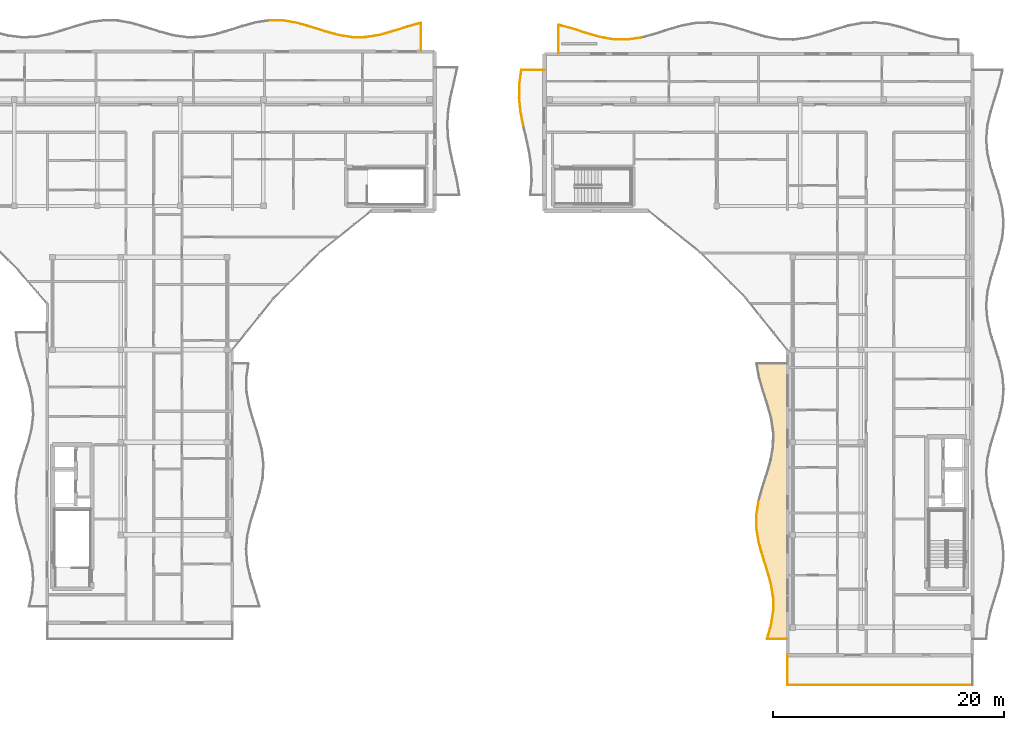
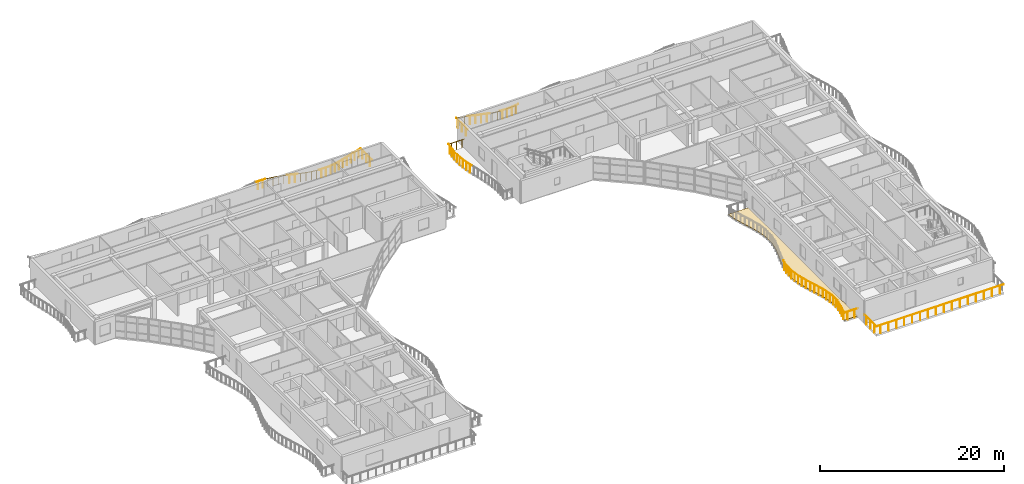
# One storey, part 27 of 30: 37 railings, 1 covering.
"""IFC4 building model written with IfcOpenShell, lengths in metres."""

from ifc_helpers import new_model, si_unit, direction, frame, origin, origin_2d, place, context, subcontext, project, spatial, polyline, circle, outline, extrude, material, layer, layer_set, type_object, element, save


model = new_model("IFC4")

# Units and contexts
model_context = context("Model", 3, precision=1e-05, world=origin(), true_north=direction((0.0, 1.0)))
body_context = subcontext(model_context, "Body", "Model", "MODEL_VIEW")
ifc_project = project(units=[si_unit("LENGTHUNIT", "METRE"), si_unit("AREAUNIT", "SQUARE_METRE"), si_unit("VOLUMEUNIT", "CUBIC_METRE"), si_unit("PLANEANGLEUNIT", "RADIAN"), si_unit("MASSUNIT", "GRAM", prefix="KILO")], contexts=[model_context])

# Site, building, storey
site_placement = place(None, origin())
site = spatial("IfcSite", under=ifc_project, at=site_placement, CompositionType="ELEMENT")
building_placement = place(site_placement, origin())
building = spatial("IfcBuilding", under=site, at=building_placement, Name="Keldmere Railside Commons", CompositionType="ELEMENT")
storey_placement = place(building_placement, frame((0.0, 0.0, 36.159912109375)))
storey = spatial("IfcBuildingStorey", under=building, at=storey_placement, Name="L11", CompositionType="ELEMENT", Elevation=36.159912109375)

# Railings
ifc_material_1 = material(Name="Steel F-24 (S235)", Category="steel")
railing_type = type_object("IfcRailingType", Name="Balcony & Terrace Steel Balustrade 1100", PredefinedType="BALUSTRADE", material=ifc_material_1)
railing_1_placement = place(storey_placement, frame((123.2255859375, 116.481201171875, 0.0)))
element("IfcRailing", 1, at=railing_1_placement, inside=storey, type_object=railing_type, Name="GR-1 GRD-L11-3078", PredefinedType="BALUSTRADE", context=body_context, shape_type="SweptSolid", body=[
    extrude(circle(Radius=0.02392578125, at=origin_2d()), frame((0.0, 0.0, 1.076171875), z_axis=(0.999933866208, -0.011500574349, 0.0), x_axis=(0.011500574349, 0.999933866208, 0.0)), (0.0, 0.0, 1.0), 1.188720703125),
    extrude(circle(Radius=0.02099609375, at=origin_2d()), frame((0.297119140625, -0.00341796875, 0.0)), (0.0, 0.0, 1.0), 1.048095703125),
    extrude(circle(Radius=0.02099609375, at=origin_2d()), frame((0.8916015625, -0.01025390625, 0.0)), (0.0, 0.0, 1.0), 1.048095703125),
])
railing_2_placement = place(storey_placement, frame((124.414306640625, 116.467529296875, 0.0)))
element("IfcRailing", 2, at=railing_2_placement, inside=storey, type_object=railing_type, Name="GR-1 GRD-L11-3079", PredefinedType="BALUSTRADE", context=body_context, shape_type="SweptSolid", body=[
    extrude(circle(Radius=0.02392578125, at=origin_2d()), frame((0.0, 0.0, 1.076171875), z_axis=(0.985807624482, -0.167878907292, 0.0), x_axis=(0.167878907292, 0.985807624482, 0.0)), (0.0, 0.0, 1.0), 1.20556640625),
    extrude(circle(Radius=0.02099609375, at=origin_2d()), frame((0.297119140625, -0.050537109375, 0.0)), (0.0, 0.0, 1.0), 1.048095703125),
    extrude(circle(Radius=0.02099609375, at=origin_2d()), frame((0.891357421875, -0.15185546875, 0.0)), (0.0, 0.0, 1.0), 1.048095703125),
])
railing_3_placement = place(storey_placement, frame((125.602783203125, 116.26513671875, 0.0)))
element("IfcRailing", 3, at=railing_3_placement, inside=storey, type_object=railing_type, Name="GR-1 GRD-L11-3080", PredefinedType="BALUSTRADE", context=body_context, shape_type="SweptSolid", body=[
    extrude(circle(Radius=0.02392578125, at=origin_2d()), frame((0.0, 0.0, 1.076171875), z_axis=(0.961895808066, -0.273416265838, 0.0), x_axis=(0.273416265838, 0.961895808066, 0.0)), (0.0, 0.0, 1.0), 1.23583984375),
    extrude(circle(Radius=0.02099609375, at=origin_2d()), frame((0.297119140625, -0.08447265625, 0.0)), (0.0, 0.0, 1.0), 1.048095703125),
    extrude(circle(Radius=0.02099609375, at=origin_2d()), frame((0.8916015625, -0.25341796875, 0.0)), (0.0, 0.0, 1.0), 1.048095703125),
])
railing_4_placement = place(storey_placement, frame((126.79150390625, 115.92724609375, 0.0)))
element("IfcRailing", 4, at=railing_4_placement, inside=storey, type_object=railing_type, Name="GR-1 GRD-L11-3081", PredefinedType="BALUSTRADE", context=body_context, shape_type="SweptSolid", body=[
    extrude(circle(Radius=0.02392578125, at=origin_2d()), frame((0.0, 0.0, 1.076171875), z_axis=(0.951441151342, -0.307830692967, 0.0), x_axis=(0.307830692967, 0.951441151342, 0.0)), (0.0, 0.0, 1.0), 1.2490234375),
    extrude(circle(Radius=0.02099609375, at=origin_2d()), frame((0.297119140625, -0.09619140625, 0.0)), (0.0, 0.0, 1.0), 1.048095703125),
    extrude(circle(Radius=0.02099609375, at=origin_2d()), frame((0.891357421875, -0.288330078125, 0.0)), (0.0, 0.0, 1.0), 1.048095703125),
])
railing_5_placement = place(storey_placement, frame((127.97998046875, 115.542724609375, 0.0)))
element("IfcRailing", 5, at=railing_5_placement, inside=storey, type_object=railing_type, Name="GR-1 GRD-L11-3082", PredefinedType="BALUSTRADE", context=body_context, shape_type="SweptSolid", body=[
    extrude(circle(Radius=0.02392578125, at=origin_2d()), frame((0.0, 0.0, 1.076171875), z_axis=(0.963543421604, -0.267552003699, 0.0), x_axis=(0.267552003699, 0.963543421604, 0.0)), (0.0, 0.0, 1.0), 1.233642578125),
    extrude(circle(Radius=0.02099609375, at=origin_2d()), frame((0.297119140625, -0.08251953125, 0.0)), (0.0, 0.0, 1.0), 1.048095703125),
    extrude(circle(Radius=0.02099609375, at=origin_2d()), frame((0.8916015625, -0.24755859375, 0.0)), (0.0, 0.0, 1.0), 1.048095703125),
])
railing_6_placement = place(storey_placement, frame((129.168701171875, 115.212646484375, 0.0)))
element("IfcRailing", 6, at=railing_6_placement, inside=storey, type_object=railing_type, Name="GR-1 GRD-L11-3083", PredefinedType="BALUSTRADE", context=body_context, shape_type="SweptSolid", body=[
    extrude(circle(Radius=0.02392578125, at=origin_2d()), frame((0.0, 0.0, 1.076171875), z_axis=(0.987626053217, -0.15682722661, 0.0), x_axis=(0.15682722661, 0.987626053217, 0.0)), (0.0, 0.0, 1.0), 1.203369140625),
    extrude(circle(Radius=0.02099609375, at=origin_2d()), frame((0.297119140625, -0.047119140625, 0.0)), (0.0, 0.0, 1.0), 1.048095703125),
    extrude(circle(Radius=0.02099609375, at=origin_2d()), frame((0.891357421875, -0.1416015625, 0.0)), (0.0, 0.0, 1.0), 1.048095703125),
])
railing_7_placement = place(storey_placement, frame((130.357177734375, 115.02392578125, 0.0)))
element("IfcRailing", 7, at=railing_7_placement, inside=storey, type_object=railing_type, Name="GR-1 GRD-L11-3084", PredefinedType="BALUSTRADE", context=body_context, shape_type="SweptSolid", body=[
    extrude(circle(Radius=0.02392578125, at=origin_2d()), frame((0.0, 0.0, 1.076171875), z_axis=(0.999998290958, 0.001848805386, 0.0), x_axis=(-0.001848805386, 0.999998290958, 0.0)), (0.0, 0.0, 1.0), 1.1884765625),
    extrude(circle(Radius=0.02099609375, at=origin_2d()), frame((0.297119140625, 0.00048828125, 0.0)), (0.0, 0.0, 1.0), 1.048095703125),
    extrude(circle(Radius=0.02099609375, at=origin_2d()), frame((0.891357421875, 0.001708984375, 0.0)), (0.0, 0.0, 1.0), 1.048095703125),
])
railing_8_placement = place(storey_placement, frame((131.545654296875, 115.026123046875, 0.0)))
element("IfcRailing", 8, at=railing_8_placement, inside=storey, type_object=railing_type, Name="GR-1 GRD-L11-3085", PredefinedType="BALUSTRADE", context=body_context, shape_type="SweptSolid", body=[
    extrude(circle(Radius=0.02392578125, at=origin_2d()), frame((0.0, 0.0, 1.076171875), z_axis=(0.987123652725, 0.159959039228, 0.0), x_axis=(-0.159959039228, 0.987123652725, 0.0)), (0.0, 0.0, 1.0), 1.204345703125),
    extrude(circle(Radius=0.02099609375, at=origin_2d()), frame((0.297119140625, 0.048095703125, 0.0)), (0.0, 0.0, 1.0), 1.048095703125),
    extrude(circle(Radius=0.02099609375, at=origin_2d()), frame((0.8916015625, 0.14453125, 0.0)), (0.0, 0.0, 1.0), 1.048095703125),
])
railing_9_placement = place(storey_placement, frame((132.734375, 115.21875, 0.0)))
element("IfcRailing", 9, at=railing_9_placement, inside=storey, type_object=railing_type, Name="GR-1 GRD-L11-3086", PredefinedType="BALUSTRADE", context=body_context, shape_type="SweptSolid", body=[
    extrude(circle(Radius=0.02392578125, at=origin_2d()), frame((0.0, 0.0, 1.076171875), z_axis=(0.963068735831, 0.269255659299, 0.0), x_axis=(-0.269255659299, 0.963068735831, 0.0)), (0.0, 0.0, 1.0), 1.234130859375),
    extrude(circle(Radius=0.02099609375, at=origin_2d()), frame((0.297119140625, 0.0830078125, 0.0)), (0.0, 0.0, 1.0), 1.048095703125),
    extrude(circle(Radius=0.02099609375, at=origin_2d()), frame((0.891357421875, 0.249267578125, 0.0)), (0.0, 0.0, 1.0), 1.048095703125),
])
railing_10_placement = place(storey_placement, frame((133.9228515625, 115.551025390625, 0.0)))
element("IfcRailing", 10, at=railing_10_placement, inside=storey, type_object=railing_type, Name="GR-1 GRD-L11-3087", PredefinedType="BALUSTRADE", context=body_context, shape_type="SweptSolid", body=[
    extrude(circle(Radius=0.02392578125, at=origin_2d()), frame((0.0, 0.0, 1.076171875), z_axis=(0.951441151342, 0.307830692967, 0.0), x_axis=(-0.307830692967, 0.951441151342, 0.0)), (0.0, 0.0, 1.0), 1.2490234375),
    extrude(circle(Radius=0.02099609375, at=origin_2d()), frame((0.297119140625, 0.09619140625, 0.0)), (0.0, 0.0, 1.0), 1.048095703125),
    extrude(circle(Radius=0.02099609375, at=origin_2d()), frame((0.891357421875, 0.288330078125, 0.0)), (0.0, 0.0, 1.0), 1.048095703125),
])
railing_11_placement = place(storey_placement, frame((135.111328125, 115.935546875, 0.0)))
element("IfcRailing", 11, at=railing_11_placement, inside=storey, type_object=railing_type, Name="GR-1 GRD-L11-3088", PredefinedType="BALUSTRADE", context=body_context, shape_type="SweptSolid", body=[
    extrude(circle(Radius=0.02392578125, at=origin_2d()), frame((0.0, 0.0, 1.076171875), z_axis=(0.962310527529, 0.27195302647, 0.0), x_axis=(-0.27195302647, 0.962310527529, 0.0)), (0.0, 0.0, 1.0), 1.2353515625),
    extrude(circle(Radius=0.02099609375, at=origin_2d()), frame((0.297119140625, 0.083984375, 0.0)), (0.0, 0.0, 1.0), 1.048095703125),
    extrude(circle(Radius=0.02099609375, at=origin_2d()), frame((0.8916015625, 0.251953125, 0.0)), (0.0, 0.0, 1.0), 1.048095703125),
])
railing_12_placement = place(storey_placement, frame((136.300048828125, 116.271484375, 0.0)))
element("IfcRailing", 12, at=railing_12_placement, inside=storey, type_object=railing_type, Name="GR-1 GRD-L11-3089", PredefinedType="BALUSTRADE", context=body_context, shape_type="SweptSolid", body=[
    extrude(circle(Radius=0.02392578125, at=origin_2d()), frame((0.0, 0.0, 1.076171875), z_axis=(0.0, -1.0, 0.0), x_axis=(1.0, 0.0, 0.0)), (0.0, 0.0, 1.0), 2.471435546875),
    extrude(circle(Radius=0.02099609375, at=origin_2d()), frame((0.0, -0.411865234375, 0.0)), (0.0, 0.0, 1.0), 1.048095703125),
    extrude(circle(Radius=0.02099609375, at=origin_2d()), frame((0.0, -1.23583984375, 0.0)), (0.0, 0.0, 1.0), 1.048095703125),
    extrude(circle(Radius=0.02099609375, at=origin_2d()), frame((0.0, -2.0595703125, 0.0)), (0.0, 0.0, 1.0), 1.048095703125),
])
railing_13_placement = place(storey_placement, frame((148.199951171875, 113.60009765625, 0.0)))
element("IfcRailing", 13, at=railing_13_placement, inside=storey, type_object=railing_type, Name="GR-1 GRD-L11-4434", PredefinedType="BALUSTRADE", context=body_context, shape_type="SweptSolid", body=[
    extrude(circle(Radius=0.02392578125, at=origin_2d()), frame((0.0, 0.0, 1.076171875), z_axis=(0.0, 1.0, 0.0), x_axis=(-1.0, 0.0, 0.0)), (0.0, 0.0, 1.0), 2.500732421875),
    extrude(circle(Radius=0.02099609375, at=origin_2d()), frame((0.0, 0.416748046875, 0.0)), (0.0, 0.0, 1.0), 1.048095703125),
    extrude(circle(Radius=0.02099609375, at=origin_2d()), frame((0.0, 1.25048828125, 0.0)), (0.0, 0.0, 1.0), 1.048095703125),
    extrude(circle(Radius=0.02099609375, at=origin_2d()), frame((0.0, 2.083984375, 0.0)), (0.0, 0.0, 1.0), 1.048095703125),
])
railing_14_placement = place(storey_placement, frame((148.199951171875, 116.100830078125, 0.0)))
element("IfcRailing", 14, at=railing_14_placement, inside=storey, type_object=railing_type, Name="GR-1 GRD-L11-4435", PredefinedType="BALUSTRADE", context=body_context, shape_type="SweptSolid", body=[
    extrude(circle(Radius=0.02392578125, at=origin_2d()), frame((0.0, 0.0, 1.076171875), z_axis=(0.96460422049, -0.263701910901, 0.0), x_axis=(0.263701910901, 0.96460422049, 0.0)), (0.0, 0.0, 1.0), 1.23681640625),
    extrude(circle(Radius=0.02099609375, at=origin_2d()), frame((0.29833984375, -0.08154296875, 0.0)), (0.0, 0.0, 1.0), 1.048095703125),
    extrude(circle(Radius=0.02099609375, at=origin_2d()), frame((0.894775390625, -0.24462890625, 0.0)), (0.0, 0.0, 1.0), 1.048095703125),
])
railing_15_placement = place(storey_placement, frame((149.39306640625, 115.774658203125, 0.0)))
element("IfcRailing", 15, at=railing_15_placement, inside=storey, type_object=railing_type, Name="GR-1 GRD-L11-4436", PredefinedType="BALUSTRADE", context=body_context, shape_type="SweptSolid", body=[
    extrude(circle(Radius=0.02392578125, at=origin_2d()), frame((0.0, 0.0, 1.076171875), z_axis=(0.951506553675, -0.307628474485, 0.0), x_axis=(0.307628474485, 0.951506553675, 0.0)), (0.0, 0.0, 1.0), 1.25390625),
    extrude(circle(Radius=0.02099609375, at=origin_2d()), frame((0.29833984375, -0.096435546875, 0.0)), (0.0, 0.0, 1.0), 1.048095703125),
    extrude(circle(Radius=0.02099609375, at=origin_2d()), frame((0.894775390625, -0.289306640625, 0.0)), (0.0, 0.0, 1.0), 1.048095703125),
])
railing_16_placement = place(storey_placement, frame((150.586181640625, 115.388916015625, 0.0)))
element("IfcRailing", 16, at=railing_16_placement, inside=storey, type_object=railing_type, Name="GR-1 GRD-L11-4437", PredefinedType="BALUSTRADE", context=body_context, shape_type="SweptSolid", body=[
    extrude(circle(Radius=0.02392578125, at=origin_2d()), frame((0.0, 0.0, 1.076171875), z_axis=(0.961069956712, -0.276305154324, 0.0), x_axis=(0.276305154324, 0.961069956712, 0.0)), (0.0, 0.0, 1.0), 1.241455078125),
    extrude(circle(Radius=0.02099609375, at=origin_2d()), frame((0.29833984375, -0.085693359375, 0.0)), (0.0, 0.0, 1.0), 1.048095703125),
    extrude(circle(Radius=0.02099609375, at=origin_2d()), frame((0.894775390625, -0.25732421875, 0.0)), (0.0, 0.0, 1.0), 1.048095703125),
])
railing_17_placement = place(storey_placement, frame((151.779296875, 115.0458984375, 0.0)))
element("IfcRailing", 17, at=railing_17_placement, inside=storey, type_object=railing_type, Name="GR-1 GRD-L11-4438", PredefinedType="BALUSTRADE", context=body_context, shape_type="SweptSolid", body=[
    extrude(circle(Radius=0.02392578125, at=origin_2d()), frame((0.0, 0.0, 1.076171875), z_axis=(0.984935352202, -0.172922965457, 0.0), x_axis=(0.172922965457, 0.984935352202, 0.0)), (0.0, 0.0, 1.0), 1.21142578125),
    extrude(circle(Radius=0.02099609375, at=origin_2d()), frame((0.29833984375, -0.05224609375, 0.0)), (0.0, 0.0, 1.0), 1.048095703125),
    extrude(circle(Radius=0.02099609375, at=origin_2d()), frame((0.894775390625, -0.1572265625, 0.0)), (0.0, 0.0, 1.0), 1.048095703125),
])
railing_18_placement = place(storey_placement, frame((152.972412109375, 114.83642578125, 0.0)))
element("IfcRailing", 18, at=railing_18_placement, inside=storey, type_object=railing_type, Name="GR-1 GRD-L11-4439", PredefinedType="BALUSTRADE", context=body_context, shape_type="SweptSolid", body=[
    extrude(circle(Radius=0.02392578125, at=origin_2d()), frame((0.0, 0.0, 1.076171875), z_axis=(0.999855805874, -0.016981385694, 0.0), x_axis=(0.016981385694, 0.999855805874, 0.0)), (0.0, 0.0, 1.0), 1.193359375),
    extrude(circle(Radius=0.02099609375, at=origin_2d()), frame((0.29833984375, -0.005126953125, 0.0)), (0.0, 0.0, 1.0), 1.048095703125),
    extrude(circle(Radius=0.02099609375, at=origin_2d()), frame((0.894775390625, -0.01513671875, 0.0)), (0.0, 0.0, 1.0), 1.048095703125),
])
railing_19_placement = place(storey_placement, frame((154.16552734375, 114.816162109375, 0.0)))
element("IfcRailing", 19, at=railing_19_placement, inside=storey, type_object=railing_type, Name="GR-1 GRD-L11-4440", PredefinedType="BALUSTRADE", context=body_context, shape_type="SweptSolid", body=[
    extrude(circle(Radius=0.02392578125, at=origin_2d()), frame((0.0, 0.0, 1.076171875), z_axis=(0.989552850316, 0.144170581016, 0.0), x_axis=(-0.144170581016, 0.989552850316, 0.0)), (0.0, 0.0, 1.0), 1.205810546875),
    extrude(circle(Radius=0.02099609375, at=origin_2d()), frame((0.29833984375, 0.04345703125, 0.0)), (0.0, 0.0, 1.0), 1.048095703125),
    extrude(circle(Radius=0.02099609375, at=origin_2d()), frame((0.894775390625, 0.13037109375, 0.0)), (0.0, 0.0, 1.0), 1.048095703125),
])
railing_20_placement = place(storey_placement, frame((168.0, 63.0, 0.0)))
element("IfcRailing", 20, at=railing_20_placement, inside=storey, type_object=railing_type, Name="GR-1 GRD-L11-4465", PredefinedType="BALUSTRADE", context=body_context, shape_type="SweptSolid", body=[
    extrude(circle(Radius=0.02392578125, at=origin_2d()), frame((0.0, 0.0, 1.076171875), z_axis=(-1.0, 0.0, 0.0), x_axis=(0.0, -1.0, 0.0)), (0.0, 0.0, 1.0), 1.74609375),
    extrude(circle(Radius=0.02099609375, at=origin_2d()), frame((-0.4365234375, 0.0, 0.0)), (0.0, 0.0, 1.0), 1.048095703125),
    extrude(circle(Radius=0.02099609375, at=origin_2d()), frame((-1.3095703125, 0.0, 0.0)), (0.0, 0.0, 1.0), 1.048095703125),
])
railing_21_placement = place(storey_placement, frame((166.25390625, 63.0, 0.0)))
element("IfcRailing", 21, at=railing_21_placement, inside=storey, type_object=railing_type, Name="GR-1 GRD-L11-4466", PredefinedType="BALUSTRADE", context=body_context, shape_type="SweptSolid", body=[
    extrude(circle(Radius=0.02392578125, at=origin_2d()), frame((0.0, 0.0, 1.076171875), z_axis=(0.268214687589, 0.963359165297, 0.0), x_axis=(-0.963359165297, 0.268214687589, 0.0)), (0.0, 0.0, 1.0), 1.235107421875),
    extrude(circle(Radius=0.02099609375, at=origin_2d()), frame((0.082763671875, 0.29736328125, 0.0)), (0.0, 0.0, 1.0), 1.048095703125),
    extrude(circle(Radius=0.02099609375, at=origin_2d()), frame((0.24853515625, 0.892578125, 0.0)), (0.0, 0.0, 1.0), 1.048095703125),
])
railing_22_placement = place(storey_placement, frame((166.585205078125, 64.18994140625, 0.0)))
element("IfcRailing", 22, at=railing_22_placement, inside=storey, type_object=railing_type, Name="GR-1 GRD-L11-4467", PredefinedType="BALUSTRADE", context=body_context, shape_type="SweptSolid", body=[
    extrude(circle(Radius=0.02392578125, at=origin_2d()), frame((0.0, 0.0, 1.076171875), z_axis=(0.157824563718, 0.9874671676, 0.0), x_axis=(-0.9874671676, 0.157824563718, 0.0)), (0.0, 0.0, 1.0), 1.205078125),
    extrude(circle(Radius=0.02099609375, at=origin_2d()), frame((0.047607421875, 0.29736328125, 0.0)), (0.0, 0.0, 1.0), 1.048095703125),
    extrude(circle(Radius=0.02099609375, at=origin_2d()), frame((0.142578125, 0.892578125, 0.0)), (0.0, 0.0, 1.0), 1.048095703125),
])
railing_23_placement = place(storey_placement, frame((166.775390625, 65.3798828125, 0.0)))
element("IfcRailing", 23, at=railing_23_placement, inside=storey, type_object=railing_type, Name="GR-1 GRD-L11-4468", PredefinedType="BALUSTRADE", context=body_context, shape_type="SweptSolid", body=[
    extrude(circle(Radius=0.02392578125, at=origin_2d()), frame((0.0, 0.0, 1.076171875), z_axis=(-0.000820512544, 0.99999966338, 0.0), x_axis=(-0.99999966338, -0.000820512544, 0.0)), (0.0, 0.0, 1.0), 1.190185546875),
    extrude(circle(Radius=0.02099609375, at=origin_2d()), frame((-0.000244140625, 0.297607421875, 0.0)), (0.0, 0.0, 1.0), 1.048095703125),
    extrude(circle(Radius=0.02099609375, at=origin_2d()), frame((-0.000732421875, 0.892578125, 0.0)), (0.0, 0.0, 1.0), 1.048095703125),
])
railing_24_placement = place(storey_placement, frame((166.7744140625, 66.570068359375, 0.0)))
element("IfcRailing", 24, at=railing_24_placement, inside=storey, type_object=railing_type, Name="GR-1 GRD-L11-4469", PredefinedType="BALUSTRADE", context=body_context, shape_type="SweptSolid", body=[
    extrude(circle(Radius=0.02392578125, at=origin_2d()), frame((0.0, 0.0, 1.076171875), z_axis=(-0.159206965526, 0.987245228972, 0.0), x_axis=(-0.987245228972, -0.159206965526, 0.0)), (0.0, 0.0, 1.0), 1.205322265625),
    extrude(circle(Radius=0.02099609375, at=origin_2d()), frame((-0.0478515625, 0.29736328125, 0.0)), (0.0, 0.0, 1.0), 1.048095703125),
    extrude(circle(Radius=0.02099609375, at=origin_2d()), frame((-0.14404296875, 0.892578125, 0.0)), (0.0, 0.0, 1.0), 1.048095703125),
])
railing_25_placement = place(storey_placement, frame((166.58251953125, 67.760009765625, 0.0)))
element("IfcRailing", 25, at=railing_25_placement, inside=storey, type_object=railing_type, Name="GR-1 GRD-L11-4470", PredefinedType="BALUSTRADE", context=body_context, shape_type="SweptSolid", body=[
    extrude(circle(Radius=0.02392578125, at=origin_2d()), frame((0.0, 0.0, 1.076171875), z_axis=(-0.26894818894, 0.963154645769, 0.0), x_axis=(-0.963154645769, -0.26894818894, 0.0)), (0.0, 0.0, 1.0), 1.2353515625),
    extrude(circle(Radius=0.02099609375, at=origin_2d()), frame((-0.0830078125, 0.29736328125, 0.0)), (0.0, 0.0, 1.0), 1.048095703125),
    extrude(circle(Radius=0.02099609375, at=origin_2d()), frame((-0.249267578125, 0.892578125, 0.0)), (0.0, 0.0, 1.0), 1.048095703125),
])
railing_26_placement = place(storey_placement, frame((166.250244140625, 68.949951171875, 0.0)))
element("IfcRailing", 26, at=railing_26_placement, inside=storey, type_object=railing_type, Name="GR-1 GRD-L11-4471", PredefinedType="BALUSTRADE", context=body_context, shape_type="SweptSolid", body=[
    extrude(circle(Radius=0.02392578125, at=origin_2d()), frame((0.0, 0.0, 1.076171875), z_axis=(-0.308017766635, 0.95138060493, 0.0), x_axis=(-0.95138060493, -0.308017766635, 0.0)), (0.0, 0.0, 1.0), 1.250732421875),
    extrude(circle(Radius=0.02099609375, at=origin_2d()), frame((-0.09619140625, 0.29736328125, 0.0)), (0.0, 0.0, 1.0), 1.048095703125),
    extrude(circle(Radius=0.02099609375, at=origin_2d()), frame((-0.2890625, 0.892578125, 0.0)), (0.0, 0.0, 1.0), 1.048095703125),
])
railing_27_placement = place(storey_placement, frame((165.864990234375, 70.139892578125, 0.0)))
element("IfcRailing", 27, at=railing_27_placement, inside=storey, type_object=railing_type, Name="GR-1 GRD-L11-4472", PredefinedType="BALUSTRADE", context=body_context, shape_type="SweptSolid", body=[
    extrude(circle(Radius=0.02392578125, at=origin_2d()), frame((0.0, 0.0, 1.076171875), z_axis=(-0.271825860521, 0.962346456092, 0.0), x_axis=(-0.962346456092, -0.271825860521, 0.0)), (0.0, 0.0, 1.0), 1.23681640625),
    extrude(circle(Radius=0.02099609375, at=origin_2d()), frame((-0.083984375, 0.297607421875, 0.0)), (0.0, 0.0, 1.0), 1.048095703125),
    extrude(circle(Radius=0.02099609375, at=origin_2d()), frame((-0.252197265625, 0.892578125, 0.0)), (0.0, 0.0, 1.0), 1.048095703125),
])
railing_28_placement = place(storey_placement, frame((165.52880859375, 71.330078125, 0.0)))
element("IfcRailing", 28, at=railing_28_placement, inside=storey, type_object=railing_type, Name="GR-1 GRD-L11-4473", PredefinedType="BALUSTRADE", context=body_context, shape_type="SweptSolid", body=[
    extrude(circle(Radius=0.02392578125, at=origin_2d()), frame((0.0, 0.0, 1.076171875), z_axis=(-0.164924008114, 0.986306276746, 0.0), x_axis=(-0.986306276746, -0.164924008114, 0.0)), (0.0, 0.0, 1.0), 1.20654296875),
    extrude(circle(Radius=0.02099609375, at=origin_2d()), frame((-0.0498046875, 0.29736328125, 0.0)), (0.0, 0.0, 1.0), 1.048095703125),
    extrude(circle(Radius=0.02099609375, at=origin_2d()), frame((-0.149169921875, 0.892578125, 0.0)), (0.0, 0.0, 1.0), 1.048095703125),
])
railing_29_placement = place(storey_placement, frame((165.329833984375, 72.52001953125, 0.0)))
element("IfcRailing", 29, at=railing_29_placement, inside=storey, type_object=railing_type, Name="GR-1 GRD-L11-4474", PredefinedType="BALUSTRADE", context=body_context, shape_type="SweptSolid", body=[
    extrude(circle(Radius=0.02392578125, at=origin_2d()), frame((0.0, 0.0, 1.076171875), z_axis=(-0.007591082054, 0.999971187322, 0.0), x_axis=(-0.999971187322, -0.007591082054, 0.0)), (0.0, 0.0, 1.0), 1.18994140625),
    extrude(circle(Radius=0.02099609375, at=origin_2d()), frame((-0.002197265625, 0.29736328125, 0.0)), (0.0, 0.0, 1.0), 1.048095703125),
    extrude(circle(Radius=0.02099609375, at=origin_2d()), frame((-0.0068359375, 0.892578125, 0.0)), (0.0, 0.0, 1.0), 1.048095703125),
])
railing_30_placement = place(storey_placement, frame((165.32080078125, 73.7099609375, 0.0)))
element("IfcRailing", 30, at=railing_30_placement, inside=storey, type_object=railing_type, Name="GR-1 GRD-L11-4475", PredefinedType="BALUSTRADE", context=body_context, shape_type="SweptSolid", body=[
    extrude(circle(Radius=0.02392578125, at=origin_2d()), frame((0.0, 0.0, 1.076171875), z_axis=(0.152087660322, 0.988367008544, 0.0), x_axis=(-0.988367008544, 0.152087660322, 0.0)), (0.0, 0.0, 1.0), 1.203857421875),
    extrude(circle(Radius=0.02099609375, at=origin_2d()), frame((0.0458984375, 0.29736328125, 0.0)), (0.0, 0.0, 1.0), 1.048095703125),
    extrude(circle(Radius=0.02099609375, at=origin_2d()), frame((0.13720703125, 0.892578125, 0.0)), (0.0, 0.0, 1.0), 1.048095703125),
])
railing_31_placement = place(storey_placement, frame((145.16064453125, 107.39990234375, 0.0)))
element("IfcRailing", 31, at=railing_31_placement, inside=storey, type_object=railing_type, Name="GR-1 GRD-L11-4536", PredefinedType="BALUSTRADE", context=body_context, shape_type="SweptSolid", body=[
    extrude(circle(Radius=0.02392578125, at=origin_2d()), frame((0.0, 0.0, 1.076171875), z_axis=(-0.190506191687, 0.981685994058, 0.0), x_axis=(-0.981685994058, -0.190506191687, 0.0)), (0.0, 0.0, 1.0), 1.22265625),
    extrude(circle(Radius=0.02099609375, at=origin_2d()), frame((-0.05810546875, 0.300048828125, 0.0)), (0.0, 0.0, 1.0), 1.048095703125),
    extrude(circle(Radius=0.02099609375, at=origin_2d()), frame((-0.1748046875, 0.900146484375, 0.0)), (0.0, 0.0, 1.0), 1.048095703125),
])
railing_32_placement = place(storey_placement, frame((144.927734375, 108.60009765625, 0.0)))
element("IfcRailing", 32, at=railing_32_placement, inside=storey, type_object=railing_type, Name="GR-1 GRD-L11-4537", PredefinedType="BALUSTRADE", context=body_context, shape_type="SweptSolid", body=[
    extrude(circle(Radius=0.02392578125, at=origin_2d()), frame((0.0, 0.0, 1.076171875), z_axis=(-0.099203038467, 0.995067212383, 0.0), x_axis=(-0.995067212383, -0.099203038467, 0.0)), (0.0, 0.0, 1.0), 1.205810546875),
    extrude(circle(Radius=0.02099609375, at=origin_2d()), frame((-0.02978515625, 0.300048828125, 0.0)), (0.0, 0.0, 1.0), 1.048095703125),
    extrude(circle(Radius=0.02099609375, at=origin_2d()), frame((-0.08984375, 0.89990234375, 0.0)), (0.0, 0.0, 1.0), 1.048095703125),
])
railing_33_placement = place(storey_placement, frame((144.80810546875, 109.800048828125, 0.0)))
element("IfcRailing", 33, at=railing_33_placement, inside=storey, type_object=railing_type, Name="GR-1 GRD-L11-4538", PredefinedType="BALUSTRADE", context=body_context, shape_type="SweptSolid", body=[
    extrude(circle(Radius=0.02392578125, at=origin_2d()), frame((0.0, 0.0, 1.076171875), z_axis=(0.021358300707, 0.999771885477, 0.0), x_axis=(-0.999771885477, 0.021358300707, 0.0)), (0.0, 0.0, 1.0), 1.2001953125),
    extrude(circle(Radius=0.02099609375, at=origin_2d()), frame((0.00634765625, 0.300048828125, 0.0)), (0.0, 0.0, 1.0), 1.048095703125),
    extrude(circle(Radius=0.02099609375, at=origin_2d()), frame((0.019287109375, 0.89990234375, 0.0)), (0.0, 0.0, 1.0), 1.048095703125),
])
railing_34_placement = place(storey_placement, frame((144.833740234375, 111.0, 0.0)))
element("IfcRailing", 34, at=railing_34_placement, inside=storey, type_object=railing_type, Name="GR-1 GRD-L11-4539", PredefinedType="BALUSTRADE", context=body_context, shape_type="SweptSolid", body=[
    extrude(circle(Radius=0.02392578125, at=origin_2d()), frame((0.0, 0.0, 1.076171875), z_axis=(0.135266132612, 0.990809302221, 0.0), x_axis=(-0.990809302221, 0.135266132612, 0.0)), (0.0, 0.0, 1.0), 1.211181640625),
    extrude(circle(Radius=0.02099609375, at=origin_2d()), frame((0.041015625, 0.300048828125, 0.0)), (0.0, 0.0, 1.0), 1.048095703125),
    extrude(circle(Radius=0.02099609375, at=origin_2d()), frame((0.122802734375, 0.89990234375, 0.0)), (0.0, 0.0, 1.0), 1.048095703125),
])
railing_35_placement = place(storey_placement, frame((144.99755859375, 112.199951171875, 0.0)))
element("IfcRailing", 35, at=railing_35_placement, inside=storey, type_object=railing_type, Name="GR-1 GRD-L11-4540", PredefinedType="BALUSTRADE", context=body_context, shape_type="SweptSolid", body=[
    extrude(circle(Radius=0.02392578125, at=origin_2d()), frame((0.0, 0.0, 1.076171875), z_axis=(1.0, 0.0, 0.0), x_axis=(0.0, 1.0, 0.0)), (0.0, 0.0, 1.0), 2.00244140625),
    extrude(circle(Radius=0.02099609375, at=origin_2d()), frame((0.333740234375, 0.0, 0.0)), (0.0, 0.0, 1.0), 1.048095703125),
    extrude(circle(Radius=0.02099609375, at=origin_2d()), frame((1.001220703125, 0.0, 0.0)), (0.0, 0.0, 1.0), 1.048095703125),
    extrude(circle(Radius=0.02099609375, at=origin_2d()), frame((1.668701171875, 0.0, 0.0)), (0.0, 0.0, 1.0), 1.048095703125),
])
railing_36_placement = place(storey_placement, frame((168.0, 61.60009765625, 0.0)))
element("IfcRailing", 36, at=railing_36_placement, inside=storey, type_object=railing_type, Name="GR-1 GRD-L11-4541", PredefinedType="BALUSTRADE", context=body_context, shape_type="SweptSolid", body=[
    extrude(circle(Radius=0.02392578125, at=origin_2d()), frame((0.0, 0.0, 1.076171875), z_axis=(0.0, -1.0, 0.0), x_axis=(1.0, 0.0, 0.0)), (0.0, 0.0, 1.0), 2.60009765625),
    extrude(circle(Radius=0.02099609375, at=origin_2d()), frame((0.0, -0.433349609375, 0.0)), (0.0, 0.0, 1.0), 1.048095703125),
    extrude(circle(Radius=0.02099609375, at=origin_2d()), frame((0.0, -1.300048828125, 0.0)), (0.0, 0.0, 1.0), 1.048095703125),
    extrude(circle(Radius=0.02099609375, at=origin_2d()), frame((0.0, -2.166748046875, 0.0)), (0.0, 0.0, 1.0), 1.048095703125),
])
railing_37_placement = place(storey_placement, frame((168.0, 59.0, 0.0)))
element("IfcRailing", 37, at=railing_37_placement, inside=storey, type_object=railing_type, Name="GR-1 GRD-L11-4542", PredefinedType="BALUSTRADE", context=body_context, shape_type="SweptSolid", body=[
    extrude(circle(Radius=0.02392578125, at=origin_2d()), frame((0.0, 0.0, 1.076171875), z_axis=(1.0, 0.0, 0.0), x_axis=(0.0, 1.0, 0.0)), (0.0, 0.0, 1.0), 16.0),
    extrude(circle(Radius=0.02099609375, at=origin_2d()), frame((0.5, 0.0, 0.0)), (0.0, 0.0, 1.0), 1.048095703125),
    extrude(circle(Radius=0.02099609375, at=origin_2d()), frame((1.5, 0.0, 0.0)), (0.0, 0.0, 1.0), 1.048095703125),
    extrude(circle(Radius=0.02099609375, at=origin_2d()), frame((2.5, 0.0, 0.0)), (0.0, 0.0, 1.0), 1.048095703125),
    extrude(circle(Radius=0.02099609375, at=origin_2d()), frame((3.5, 0.0, 0.0)), (0.0, 0.0, 1.0), 1.048095703125),
    extrude(circle(Radius=0.02099609375, at=origin_2d()), frame((4.5, 0.0, 0.0)), (0.0, 0.0, 1.0), 1.048095703125),
    extrude(circle(Radius=0.02099609375, at=origin_2d()), frame((5.5, 0.0, 0.0)), (0.0, 0.0, 1.0), 1.048095703125),
    extrude(circle(Radius=0.02099609375, at=origin_2d()), frame((6.5, 0.0, 0.0)), (0.0, 0.0, 1.0), 1.048095703125),
    extrude(circle(Radius=0.02099609375, at=origin_2d()), frame((7.5, 0.0, 0.0)), (0.0, 0.0, 1.0), 1.048095703125),
    extrude(circle(Radius=0.02099609375, at=origin_2d()), frame((8.5, 0.0, 0.0)), (0.0, 0.0, 1.0), 1.048095703125),
    extrude(circle(Radius=0.02099609375, at=origin_2d()), frame((9.5, 0.0, 0.0)), (0.0, 0.0, 1.0), 1.048095703125),
    extrude(circle(Radius=0.02099609375, at=origin_2d()), frame((10.5, 0.0, 0.0)), (0.0, 0.0, 1.0), 1.048095703125),
    extrude(circle(Radius=0.02099609375, at=origin_2d()), frame((11.5, 0.0, 0.0)), (0.0, 0.0, 1.0), 1.048095703125),
    extrude(circle(Radius=0.02099609375, at=origin_2d()), frame((12.5, 0.0, 0.0)), (0.0, 0.0, 1.0), 1.048095703125),
    extrude(circle(Radius=0.02099609375, at=origin_2d()), frame((13.5, 0.0, 0.0)), (0.0, 0.0, 1.0), 1.048095703125),
    extrude(circle(Radius=0.02099609375, at=origin_2d()), frame((14.5, 0.0, 0.0)), (0.0, 0.0, 1.0), 1.048095703125),
    extrude(circle(Radius=0.02099609375, at=origin_2d()), frame((15.5, 0.0, 0.0)), (0.0, 0.0, 1.0), 1.048095703125),
])

# Covering
ifc_material_2 = material(Name="White Precast Concrete C35/45", Category="concrete")
ifc_layer = layer(ifc_material_2, 0.044921875, Name="White Architectural Balcony Ribbon Cladding 45")
ifc_layer_set = layer_set([ifc_layer], Name="White Precast Concrete C35/45")
covering_type = type_object("IfcCoveringType", Name="White Architectural Balcony Ribbon Cladding 45", PredefinedType="FLOORING", material=ifc_layer_set)
covering_placement = place(storey_placement, origin())
element("IfcCovering", 38, at=covering_placement, inside=storey, type_object=covering_type, Name="CLG-WB A L11 CW White Balcony Ribbon", PredefinedType="FLOORING", context=body_context, shape_type="SweptSolid", body=[
    extrude(outline(polyline([(167.9599609375, 86.760009765625), (165.389892578125, 86.760009765625), (165.5966796875, 85.619140625), (165.941650390625, 84.431640625), (166.32568359375, 83.2421875), (166.326416015625, 83.240478515625), (166.64794921875, 82.05029296875), (166.64892578125, 82.0458984375), (166.8232421875, 80.855712890625), (166.823486328125, 80.8525390625), (166.823486328125, 80.849365234375), (166.804443359375, 79.659423828125), (166.80419921875, 79.65625), (166.8037109375, 79.653076171875), (166.59619140625, 78.463134765625), (166.595458984375, 78.458984375), (166.25439453125, 77.26904296875), (166.25390625, 77.267578125), (165.869384765625, 76.07861328125), (165.543212890625, 74.8916015625), (165.36083984375, 73.70703125), (165.369873046875, 72.5234375), (165.56787109375, 71.3388671875), (165.9033203125, 70.151611328125), (166.288330078125, 68.96240234375), (166.288818359375, 68.960693359375), (166.62109375, 67.770751953125), (166.6220703125, 67.766357421875), (166.81396484375, 66.576416015625), (166.814208984375, 66.5732421875), (166.814453125, 66.570068359375), (166.815185546875, 65.3798828125), (166.815185546875, 65.376708984375), (166.814697265625, 65.373779296875), (166.62451171875, 64.18359375), (166.62353515625, 64.17919921875), (166.306396484375, 63.0400390625), (167.9599609375, 63.0400390625), (167.9599609375, 86.760009765625)])), origin(), (0.0, 0.0, 1.0), 0.045166015625),
])

save(model, "model.ifc")
